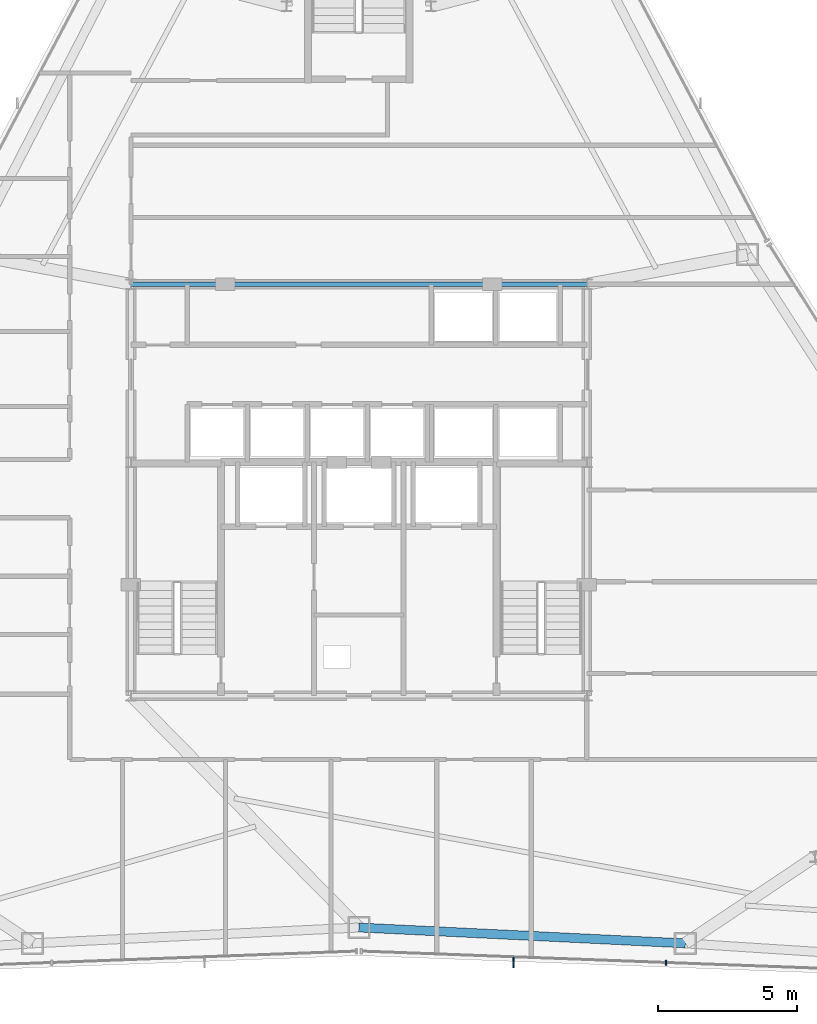
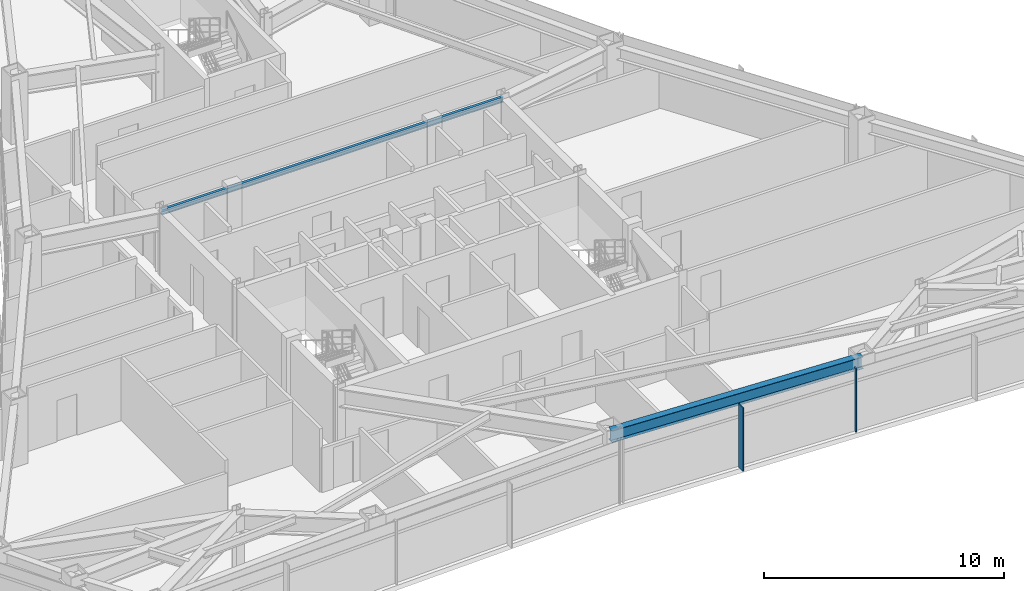
# One storey, part 6 of 13: 2 beams, 2 members, 1 element without a shape of its own.
"""IFC4 building model written with IfcOpenShell, lengths in metres."""

from ifc_helpers import new_model, si_unit, direction, frame, origin, origin_2d, place, context, subcontext, project, spatial, rectangle, i_section, extrude, source, transform, mapped, material, layer, layer_set, material_profile, profile_set, type_object, type_shapes, element, aggregate, save


model = new_model("IFC4")

# Units and contexts
model_context = context("Model", 3, precision=1e-05, world=origin(), true_north=direction((0.0, 1.0)))
body_context = subcontext(model_context, "Body", "Model", "MODEL_VIEW")
ifc_project = project(units=[si_unit("LENGTHUNIT", "METRE"), si_unit("AREAUNIT", "SQUARE_METRE"), si_unit("VOLUMEUNIT", "CUBIC_METRE"), si_unit("PLANEANGLEUNIT", "RADIAN"), si_unit("MASSUNIT", "GRAM", prefix="KILO")], contexts=[model_context])

# Site, building, storey
site_placement = place(None, origin())
site = spatial("IfcSite", under=ifc_project, at=site_placement, CompositionType="ELEMENT")
building_placement = place(site_placement, origin())
building = spatial("IfcBuilding", under=site, at=building_placement, Name="Varakhsha Concourse Tower", CompositionType="ELEMENT")
storey_placement = place(building_placement, frame((0.0, 0.0, 175.800048828125)))
storey = spatial("IfcBuildingStorey", under=building, at=storey_placement, Name="L50", CompositionType="ELEMENT", Elevation=175.800048828125)

# Beams
ifc_material_1 = material(Name="Structural Steel ASTM A992 Grade 50", Category="steel")
ifc_material_profile_1 = material_profile(ifc_material_1, i_section(OverallWidth=0.14697265625, OverallDepth=0.261962890625, WebThickness=0.007080078125, FlangeThickness=0.010986328125, at=origin_2d()), Name="W10X26")
ifc_profile_set_1 = profile_set([ifc_material_profile_1], Name="Structural Steel ASTM A992 Grade 50")
beam_type_1 = type_object("IfcBeamType", Name="BM-LNTL-W10X26", PredefinedType="LINTEL", material=ifc_profile_set_1)
beam_1_placement = place(storey_placement, frame((31.800048828125, 31.199951171875, 3.078857421875), z_axis=(1.0, 0.0, 0.0), x_axis=(0.0, 1.0, 0.0)))
element("IfcBeam", 1, at=beam_1_placement, inside=storey, type_object=beam_type_1, Name="BM-TCORE-L50-CN", PredefinedType="LINTEL", context=body_context, shape_type="SweptSolid", body=[
    extrude(i_section(OverallWidth=0.14697265625, OverallDepth=0.261962890625, WebThickness=0.007080078125, FlangeThickness=0.010986328125, at=origin_2d()), origin(), (0.0, 0.0, 1.0), 16.39990234375),
])
ifc_material_profile_2 = material_profile(ifc_material_1, i_section(OverallWidth=0.323974609375, OverallDepth=0.611083984375, WebThickness=0.012939453125, FlangeThickness=0.01904296875, at=origin_2d()), Name="W24X104")
ifc_profile_set_2 = profile_set([ifc_material_profile_2], Name="Structural Steel ASTM A992 Grade 50")
beam_type_2 = type_object("IfcBeamType", Name="BM-SPAN-W24X104", PredefinedType="SPANDREL", material=ifc_profile_set_2)
beam_2_placement = place(storey_placement, frame((40.0, 8.061279296875, 2.904541015625), z_axis=(0.998822016856, -0.048524000694, 0.0), x_axis=(0.048524000694, 0.998822016856, 0.0)))
element("IfcBeam", 2, at=beam_2_placement, inside=storey, type_object=beam_type_2, Name="BM-SPAN-L50-11", PredefinedType="SPANDREL", context=body_context, shape_type="SweptSolid", body=[
    extrude(i_section(OverallWidth=0.323974609375, OverallDepth=0.611083984375, WebThickness=0.012939453125, FlangeThickness=0.01904296875, at=origin_2d()), origin(), (0.0, 0.0, 1.0), 11.75830078125),
])

# Curtain wall, members
ifc_material_2 = material(Name="Anodised Bronze Architectural Aluminium AA 6063-T6", Category="aluminium")
ifc_layer = layer(ifc_material_2, 0.2099609375, Name="CW-SYS-04")
ifc_layer_set = layer_set([ifc_layer], Name="Anodised Bronze Architectural Aluminium AA 6063-T6")
curtain_wall_type = type_object("IfcCurtainWallType", Name="CW-SYS-04", PredefinedType="NOTDEFINED", material=ifc_layer_set)
curtain_wall_placement = place(storey_placement, origin())
curtain_wall = element("IfcCurtainWall", 3, at=curtain_wall_placement, inside=storey, type_object=curtain_wall_type, Name="L50 Crystal Curtain Wall F6", PredefinedType="NOTDEFINED")
ifc_material_profile_3 = material_profile(ifc_material_2, rectangle(XDim=0.06005859375, YDim=0.3798828125, at=origin_2d()), Name="FIN-BRZ-380")
ifc_profile_set_3 = profile_set([ifc_material_profile_3], Name="Anodised Bronze Architectural Aluminium AA 6063-T6")
member_type_1 = type_object("IfcMemberType", Name="FIN-BRZ-380", PredefinedType="USERDEFINED", material=ifc_profile_set_3)
shared_shape_1 = source(origin(), body_context, "Body", "SweptSolid", [
    extrude(rectangle(XDim=0.06005859375, YDim=0.3798828125, at=origin_2d()), origin(), (0.0, 0.0, 1.0), 3.2099609375),
])
type_shapes(member_type_1, [shared_shape_1])
member_1_placement = place(storey_placement, frame((45.559326171875, 6.79638671875, 0.0), z_axis=(0.0, 0.0, 1.0), x_axis=(1.0, 0.0, 0.0)))
member_1 = element("IfcMember", 4, at=member_1_placement, type_object=member_type_1, Name="L50 Anodised Bronze Solar Fin F6-2", ObjectType="SOLAR FIN", PredefinedType="USERDEFINED", context=body_context, shape_type="MappedRepresentation", body=[
    mapped(shared_shape_1, transform((0.0, 0.0, 0.0), scale=1.0)),
])
ifc_material_profile_4 = material_profile(ifc_material_2, rectangle(XDim=0.06494140625, YDim=0.179931640625, at=origin_2d()), Name="CWM-180X65")
ifc_profile_set_4 = profile_set([ifc_material_profile_4], Name="Anodised Bronze Architectural Aluminium AA 6063-T6")
member_type_2 = type_object("IfcMemberType", Name="CWM-180X65", PredefinedType="MULLION", material=ifc_profile_set_4)
shared_shape_2 = source(origin(), body_context, "Body", "SweptSolid", [
    extrude(rectangle(XDim=0.06494140625, YDim=0.179931640625, at=origin_2d()), origin(), (0.0, 0.0, 1.0), 3.2099609375),
])
type_shapes(member_type_2, [shared_shape_2])
member_2_placement = place(storey_placement, frame((51.048095703125, 6.79638671875, 0.0), z_axis=(0.0, 0.0, 1.0), x_axis=(-0.999301264048, 0.037376244769, 0.0)))
member_2 = element("IfcMember", 5, at=member_2_placement, type_object=member_type_2, Name="CW-L50-F6 Mullion 01", PredefinedType="MULLION", context=body_context, shape_type="MappedRepresentation", body=[
    mapped(shared_shape_2, transform((0.0, 0.0, 0.0), scale=1.0)),
])
aggregate(curtain_wall, [member_2, member_1])

save(model, "model.ifc")
